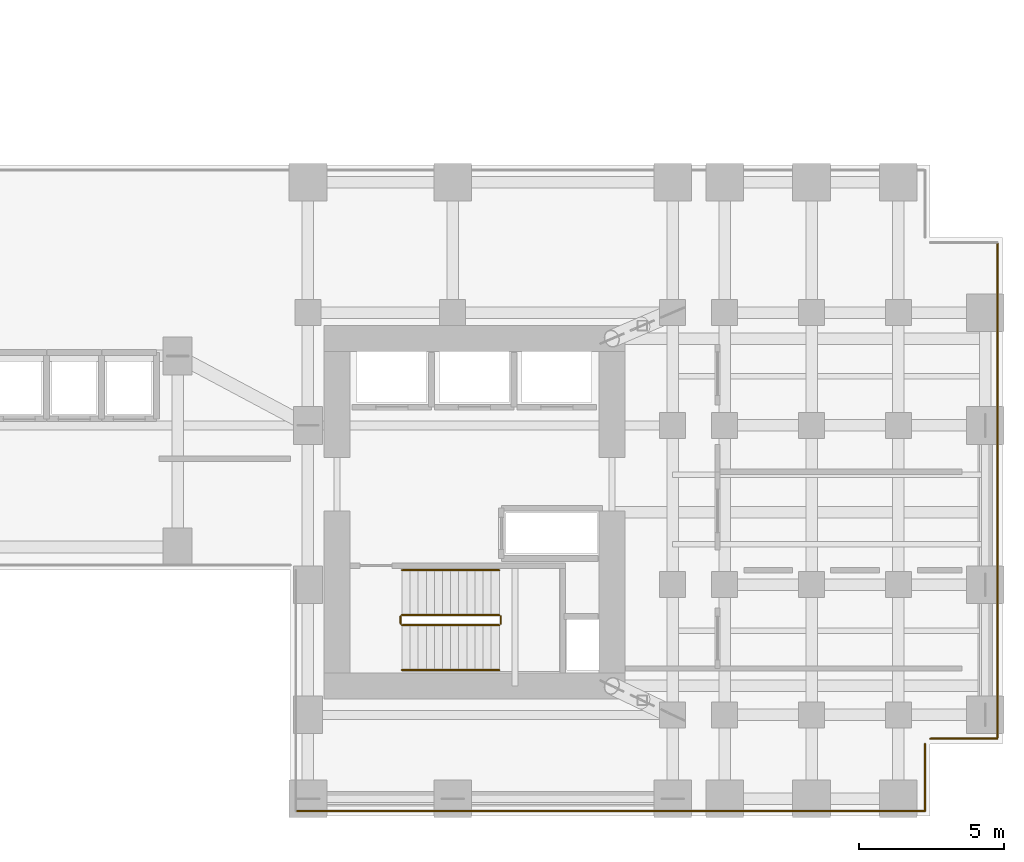
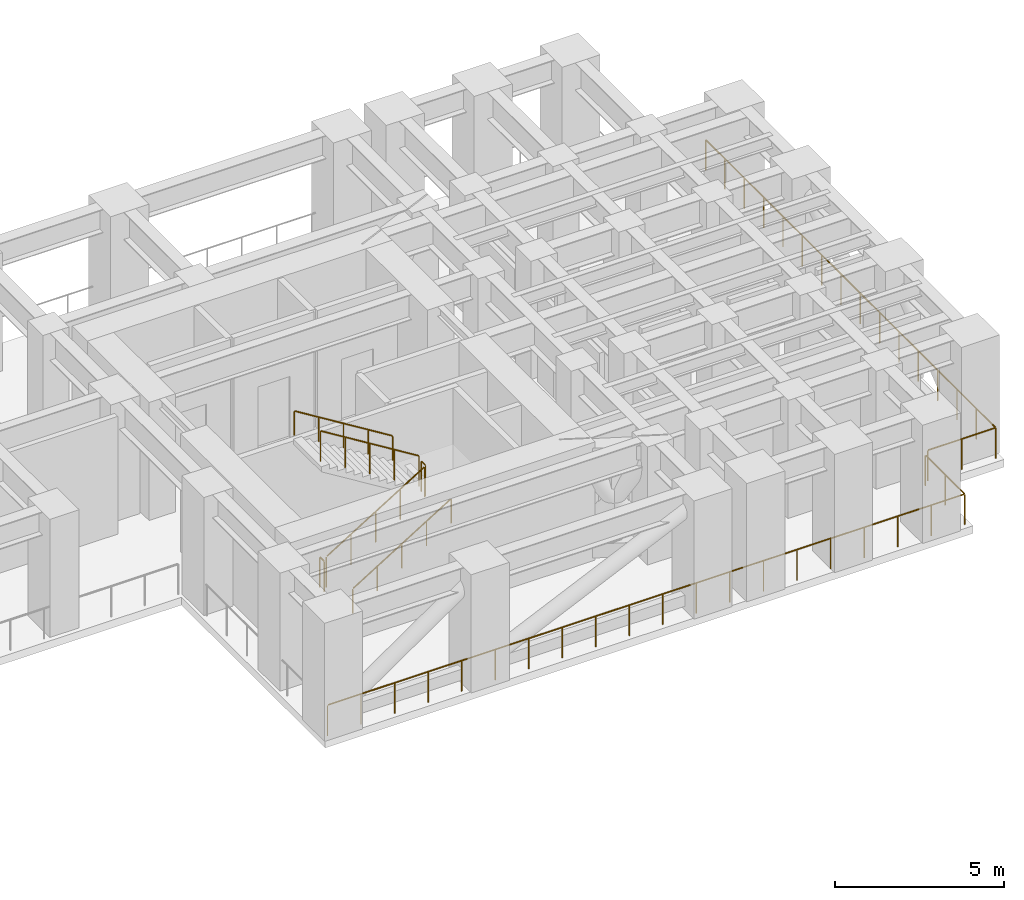
# One storey, part 15 of 16: 10 railings.
"""IFC4 building model written with IfcOpenShell, lengths in metres."""

import ifcopenshell
import ifcopenshell.guid

model = None  # the IFC model being written
_history = None  # IfcOwnerHistory: only IFC2X3 demands one
_inside = {}  # id of a spatial element -> (the spatial element, [elements in it])
_under = {}  # id of a project, library or spatial element -> (it, [spatial elements below it])
_declared = {}  # id of a project -> (the project, [libraries it declares])
_typed = {}  # id of a type object -> (the type object, [elements of that type])
_made_of = {}  # id of a material, layer set ... -> (it, [elements and type objects made of it])


def new_model(schema):
    """Start an empty IFC model of exactly this schema.

    Asked for "IFC4X3", IfcOpenShell would pick the latest addendum, in which some entities
    have other attributes; the version numbers below select the first issue.
    IFC2X3 requires an IfcOwnerHistory on every rooted entity: one is made here for all.
    """
    global model, _history
    if schema == "IFC4X3":
        model = ifcopenshell.file(schema_version=(4, 3, 0, 0))
    else:
        model = ifcopenshell.file(schema=schema)
    _inside.clear()
    _under.clear()
    _declared.clear()
    _typed.clear()
    _made_of.clear()
    _history = None
    if model.schema == "IFC2X3":
        org = make("IfcOrganization", Name="unknown")
        user = make(
            "IfcPersonAndOrganization",
            ThePerson=make("IfcPerson", FamilyName="unknown"),
            TheOrganization=org,
        )
        app = make(
            "IfcApplication",
            ApplicationDeveloper=org,
            Version="unknown",
            ApplicationFullName="unknown",
            ApplicationIdentifier="unknown",
        )
        _history = make(
            "IfcOwnerHistory",
            OwningUser=user,
            OwningApplication=app,
            ChangeAction="ADDED",
            CreationDate=0,
        )
    return model


def make(cls, **values):
    """One entity of the class cls with the attributes given. An attribute that is None is left unset."""
    return model.create_entity(
        cls, **{name: value for name, value in values.items() if value is not None}
    )


def rooted(cls, **values):
    """An entity with a GlobalId (a new one), such as an element, a storey or a relation."""
    return make(cls, GlobalId=ifcopenshell.guid.new(), OwnerHistory=_history, **values)


def si_unit(unit_type, name, prefix=None):
    """IfcSIUnit, for example si_unit("LENGTHUNIT", "METRE", prefix="MILLI")."""
    return make("IfcSIUnit", UnitType=unit_type, Prefix=prefix, Name=name)


def assignment(units):
    """IfcUnitAssignment: the units of a project."""
    return None if units is None else make("IfcUnitAssignment", Units=units)


def point(xyz):
    """IfcCartesianPoint."""
    return None if xyz is None else make("IfcCartesianPoint", Coordinates=xyz)


def direction(xyz):
    """IfcDirection."""
    return None if xyz is None else make("IfcDirection", DirectionRatios=xyz)


def frame(location, z_axis=None, x_axis=None):
    """IfcAxis2Placement3D, a coordinate frame: its origin and axes. An axis left out is left unset."""
    return make(
        "IfcAxis2Placement3D",
        Location=point(location),
        Axis=direction(z_axis),
        RefDirection=direction(x_axis),
    )


def frame_2d(location, x_axis=None):
    """IfcAxis2Placement2D, a coordinate frame in the plane: its origin and x axis."""
    return make(
        "IfcAxis2Placement2D", Location=point(location), RefDirection=direction(x_axis)
    )


def origin():
    """The frame at (0, 0, 0) with its axes left unset."""
    return frame((0.0, 0.0, 0.0))


def origin_2d():
    """The frame at (0, 0) in the plane with its x axis left unset."""
    return frame_2d((0.0, 0.0))


def place(relative_to, where):
    """IfcLocalPlacement: puts the frame where relative to a parent placement (None: the world)."""
    return make(
        "IfcLocalPlacement", PlacementRelTo=relative_to, RelativePlacement=where
    )


def context(
    kind, dimensions, precision=None, world=None, true_north=None, identifier=None
):
    """IfcGeometricRepresentationContext, for example the 3D "Model" context."""
    return make(
        "IfcGeometricRepresentationContext",
        ContextIdentifier=identifier,
        ContextType=kind,
        CoordinateSpaceDimension=dimensions,
        Precision=precision,
        WorldCoordinateSystem=world,
        TrueNorth=true_north,
    )


def subcontext(parent, identifier, kind, view, scale=None):
    """IfcGeometricRepresentationSubContext, for example "Body" below "Model"."""
    return make(
        "IfcGeometricRepresentationSubContext",
        ContextIdentifier=identifier,
        ContextType=kind,
        ParentContext=parent,
        TargetScale=scale,
        TargetView=view,
    )


def project(units=None, contexts=None):
    """IfcProject with its units and contexts."""
    return rooted(
        "IfcProject",
        Name="project",
        RepresentationContexts=contexts,
        UnitsInContext=assignment(units),
    )


def spatial(cls, under=None, at=None, **own):
    """A site, building, storey or space (cls), placed at a placement, below another one or the project."""
    s = rooted(cls, ObjectPlacement=at, **own)
    if under is not None:
        _under.setdefault(under.id(), (under, []))[1].append(s)
    return s


def profile(cls, at=None, kind="AREA", **sizes):
    """A parametric profile (cls). Its sizes go by their IFC names, for example OverallWidth=200.0."""
    return make(cls, ProfileType=kind, Position=at, **sizes)


def circle(**sizes):
    """IfcCircleProfileDef."""
    return profile("IfcCircleProfileDef", **sizes)


def extrude(swept, where, along, depth):
    """IfcExtrudedAreaSolid: the profile swept, set in the frame where, extruded along a direction by depth."""
    return make(
        "IfcExtrudedAreaSolid",
        SweptArea=swept,
        Position=where,
        ExtrudedDirection=direction(along),
        Depth=depth,
    )


def shape(context_of_items, identifier, shape_type, items):
    """IfcShapeRepresentation: the items that make up one representation, for example the "Body"."""
    return make(
        "IfcShapeRepresentation",
        ContextOfItems=context_of_items,
        RepresentationIdentifier=identifier,
        RepresentationType=shape_type,
        Items=items,
    )


def source(mapping_origin, context_of_items, identifier, shape_type, items):
    """IfcRepresentationMap: a shape defined once, which mapped items show again and again."""
    return make(
        "IfcRepresentationMap",
        MappingOrigin=mapping_origin,
        MappedRepresentation=shape(context_of_items, identifier, shape_type, items),
    )


def transform(
    local_origin,
    x_axis=None,
    y_axis=None,
    z_axis=None,
    scale=None,
    scale2=None,
    scale3=None,
    uniform=True,
):
    """IfcCartesianTransformationOperator3D, or its non-uniform kind. x_axis, y_axis, z_axis: its Axis1, 2, 3."""
    if uniform:
        return make(
            "IfcCartesianTransformationOperator3D",
            Axis1=direction(x_axis),
            Axis2=direction(y_axis),
            LocalOrigin=point(local_origin),
            Scale=scale,
            Axis3=direction(z_axis),
        )
    return make(
        "IfcCartesianTransformationOperator3DnonUniform",
        Axis1=direction(x_axis),
        Axis2=direction(y_axis),
        LocalOrigin=point(local_origin),
        Scale=scale,
        Axis3=direction(z_axis),
        Scale2=scale2,
        Scale3=scale3,
    )


def mapped(mapping_source, mapping_target):
    """IfcMappedItem: shows the shape of a source again, moved by a transform."""
    return make(
        "IfcMappedItem", MappingSource=mapping_source, MappingTarget=mapping_target
    )


def material(Name=None, Category=None):
    """IfcMaterial."""
    return make("IfcMaterial", Name=Name, Category=Category)


def layer(
    of_material, thickness, ventilated=None, Name=None, Category=None, Priority=None
):
    """IfcMaterialLayer: one layer of a wall or slab, of a material (None: an air gap)."""
    return make(
        "IfcMaterialLayer",
        Material=of_material,
        LayerThickness=thickness,
        IsVentilated=ventilated,
        Name=Name,
        Category=Category,
        Priority=Priority,
    )


def layer_set(layers, Name=None):
    """IfcMaterialLayerSet."""
    return make("IfcMaterialLayerSet", MaterialLayers=layers, LayerSetName=Name)


def made_of(thing, what):
    """Note that an element or type object is made of a material, layer set ...; save() writes the relation."""
    if what is not None:
        _made_of.setdefault(what.id(), (what, []))[1].append(thing)
    return thing


def type_object(cls, material=None, **own):
    """A type object (cls), such as IfcWallType, which elements share."""
    return made_of(rooted(cls, **own), material)


def element(
    cls,
    number,
    at=None,
    inside=None,
    cuts=None,
    type_object=None,
    material=None,
    context=None,
    identifier="Body",
    shape_type=None,
    held_by="IfcProductDefinitionShape",
    body=None,
    shapes=None,
    **own,
):
    """One element of the class cls, such as IfcWall. Its Tag is "e" and its number.

    at: its placement. inside: the storey or other place that contains it. cuts: it is an
    opening in that element (IfcRelVoidsElement). A single representation is given by context,
    identifier, shape_type and body (its items); several are given by shapes. held_by: the class
    of the entity that holds the representations. save() writes the other relations.
    """
    e = rooted(cls, Tag="e%d" % number, ObjectPlacement=at, **own)
    if body is not None:
        shapes = [shape(context, identifier, shape_type, body)]
    if shapes is not None:
        e.Representation = make(held_by, Representations=shapes)
    if inside is not None:
        _inside.setdefault(inside.id(), (inside, []))[1].append(e)
    if cuts is not None:
        rooted(
            "IfcRelVoidsElement", RelatingBuildingElement=cuts, RelatedOpeningElement=e
        )
    if type_object is not None:
        _typed.setdefault(type_object.id(), (type_object, []))[1].append(e)
    return made_of(e, material)


def aggregate(whole, parts):
    """IfcRelAggregates: a whole, such as a stair, and the parts it consists of."""
    return rooted("IfcRelAggregates", RelatingObject=whole, RelatedObjects=parts)


def save(model, path):
    """Write the relations noted so far, then the file.

    IfcRelAggregates (storeys below a building ...), IfcRelContainedInSpatialStructure (elements
    in a storey), IfcRelDefinesByType, IfcRelAssociatesMaterial and IfcRelDeclares: one each for
    every whole, place, type object, material and project.
    """
    for whole, parts in _under.values():
        aggregate(whole, parts)
    for where, things in _inside.values():
        rooted(
            "IfcRelContainedInSpatialStructure",
            RelatedElements=things,
            RelatingStructure=where,
        )
    for kind, things in _typed.values():
        rooted("IfcRelDefinesByType", RelatedObjects=things, RelatingType=kind)
    for what, things in _made_of.values():
        rooted("IfcRelAssociatesMaterial", RelatedObjects=things, RelatingMaterial=what)
    for by, libraries in _declared.values():
        rooted("IfcRelDeclares", RelatingContext=by, RelatedDefinitions=libraries)
    model.write(path)


model = new_model("IFC4")

# Units and contexts
model_context = context("Model", 3, precision=1e-05, world=origin(), true_north=direction((0.0, 1.0)))
body_context = subcontext(model_context, "Body", "Model", "MODEL_VIEW")
ifc_project = project(units=[si_unit("LENGTHUNIT", "METRE"), si_unit("AREAUNIT", "SQUARE_METRE"), si_unit("VOLUMEUNIT", "CUBIC_METRE"), si_unit("PLANEANGLEUNIT", "RADIAN"), si_unit("MASSUNIT", "GRAM", prefix="KILO")], contexts=[model_context])

# Site, building, storey
site_placement = place(None, origin())
site = spatial("IfcSite", under=ifc_project, at=site_placement, CompositionType="ELEMENT")
building_placement = place(site_placement, origin())
building = spatial("IfcBuilding", under=site, at=building_placement, Name="Kharzan Plaza Tower", CompositionType="ELEMENT")
storey_placement = place(building_placement, frame((0.0, 0.0, 72.89990234375)))
storey = spatial("IfcBuildingStorey", under=building, at=storey_placement, Name="L19", CompositionType="ELEMENT", Elevation=72.89990234375)

# Railings
ifc_material_1 = material(Name="Painted Galvanized Architectural Steel", Category="steel")
ifc_layer_1 = layer(ifc_material_1, 0.074951171875)
ifc_layer_set_1 = layer_set([ifc_layer_1], Name="Painted Galvanized Architectural Steel")
railing_type_1 = type_object("IfcRailingType", Name="RL-GUARD-1120", PredefinedType="BALUSTRADE", material=ifc_layer_set_1)
shared_shape_1 = source(origin(), body_context, "Body", "SweptSolid", [
    extrude(circle(Radius=0.02392578125, at=origin_2d()), frame((0.0224609375, 0.0, 1.10986328125), z_axis=(0.850623216509, 0.0, 0.525775754039), x_axis=(0.0, 1.0, 0.0)), (0.0, 0.0, 1.0), 3.897216796875),
    extrude(circle(Radius=0.02099609375, at=origin_2d()), origin(), (0.0, 0.0, 1.0), 1.072021484375),
    extrude(circle(Radius=0.02099609375, at=origin_2d()), frame((0.840087890625, 0.0, 0.519287109375)), (0.0, 0.0, 1.0), 1.072021484375),
    extrude(circle(Radius=0.02099609375, at=origin_2d()), frame((1.68017578125, 0.0, 1.03857421875)), (0.0, 0.0, 1.0), 1.072021484375),
    extrude(circle(Radius=0.02099609375, at=origin_2d()), frame((2.52001953125, 0.0, 1.5576171875)), (0.0, 0.0, 1.0), 1.072021484375),
    extrude(circle(Radius=0.02099609375, at=origin_2d()), frame((3.360107421875, 0.0, 2.076904296875)), (0.0, 0.0, 1.0), 1.072021484375),
])
railing_1_placement = place(storey_placement, frame((38.25, 6.60009765625, 0.173095703125)))
element("IfcRailing", 1, at=railing_1_placement, inside=storey, type_object=railing_type_1, Name="L19 ST-3 stair guard 1", PredefinedType="BALUSTRADE", context=body_context, shape_type="MappedRepresentation", body=[
    mapped(shared_shape_1, transform((0.0, 0.0, 0.0), x_axis=(1.0, 0.0, 0.0), y_axis=(0.0, 1.0, 0.0), z_axis=(0.0, 0.0, 1.0))),
])
shared_shape_2 = source(origin(), body_context, "Body", "SweptSolid", [
    extrude(circle(Radius=0.02392578125, at=origin_2d()), frame((0.0, 0.0263671875, 1.09619140625), z_axis=(0.0, 1.0, 0.0), x_axis=(-1.0, 0.0, 0.0)), (0.0, 0.0, 1.0), 0.197021484375),
    extrude(circle(Radius=0.02099609375, at=origin_2d()), origin(), (0.0, 0.0, 1.0), 1.072021484375),
    extrude(circle(Radius=0.02099609375, at=origin_2d()), frame((0.0, 0.25, 0.0)), (0.0, 0.0, 1.0), 1.072021484375),
])
for number, where, name in (
    (2, (41.659912109375, 6.64990234375, 2.25), "L19 ST-3 stair guard 2"),
    (3, (38.199951171875, 6.64990234375, 0.0), "L19 ST-3 stair guard 4"),
):
    element("IfcRailing", number, at=place(storey_placement, frame(where)), inside=storey, type_object=railing_type_1, Name=name, PredefinedType="BALUSTRADE", context=body_context, shape_type="MappedRepresentation", body=[
        mapped(shared_shape_2, transform((0.0, 0.0, 0.0), x_axis=(1.0, 0.0, 0.0), y_axis=(0.0, 1.0, 0.0), z_axis=(0.0, 0.0, 1.0))),
    ])
shared_shape_3 = source(origin(), body_context, "Body", "SweptSolid", [
    extrude(circle(Radius=0.02392578125, at=origin_2d()), frame((-0.0224609375, 0.0, 1.10986328125), z_axis=(-0.850623216509, 0.0, 0.525775754039), x_axis=(0.0, -1.0, 0.0)), (0.0, 0.0, 1.0), 3.897216796875),
    extrude(circle(Radius=0.02099609375, at=origin_2d()), origin(), (0.0, 0.0, 1.0), 1.072021484375),
    extrude(circle(Radius=0.02099609375, at=origin_2d()), frame((-0.840087890625, 0.0, 0.519287109375)), (0.0, 0.0, 1.0), 1.072021484375),
    extrude(circle(Radius=0.02099609375, at=origin_2d()), frame((-1.68017578125, 0.0, 1.03857421875)), (0.0, 0.0, 1.0), 1.072021484375),
    extrude(circle(Radius=0.02099609375, at=origin_2d()), frame((-2.52001953125, 0.0, 1.5576171875)), (0.0, 0.0, 1.0), 1.072021484375),
    extrude(circle(Radius=0.02099609375, at=origin_2d()), frame((-3.360107421875, 0.0, 2.076904296875)), (0.0, 0.0, 1.0), 1.072021484375),
])
railing_2_placement = place(storey_placement, frame((41.610107421875, 6.949951171875, 2.423095703125)))
element("IfcRailing", 4, at=railing_2_placement, inside=storey, type_object=railing_type_1, Name="L19 ST-3 stair guard 3", PredefinedType="BALUSTRADE", context=body_context, shape_type="MappedRepresentation", body=[
    mapped(shared_shape_3, transform((0.0, 0.0, 0.0), x_axis=(1.0, 0.0, 0.0), y_axis=(0.0, 1.0, 0.0), z_axis=(0.0, 0.0, 1.0))),
])
ifc_material_2 = material(Name="Brushed Stainless Steel", Category="steel")
ifc_layer_2 = layer(ifc_material_2, 0.050048828125)
ifc_layer_set_2 = layer_set([ifc_layer_2], Name="Brushed Stainless Steel")
railing_type_2 = type_object("IfcRailingType", Name="RL-STAIR-HR920", PredefinedType="HANDRAIL", material=ifc_layer_set_2)
shared_shape_4 = source(origin(), body_context, "Body", "SweptSolid", [
    extrude(circle(Radius=0.02392578125, at=origin_2d()), frame((0.0224609375, 0.0, 0.8896484375), z_axis=(0.850623216509, 0.0, 0.525775754039), x_axis=(0.0, 1.0, 0.0)), (0.0, 0.0, 1.0), 3.897216796875),
    extrude(circle(Radius=0.02099609375, at=origin_2d()), origin(), (0.0, 0.0, 1.0), 0.851806640625),
    extrude(circle(Radius=0.02099609375, at=origin_2d()), frame((0.840087890625, 0.0, 0.519287109375)), (0.0, 0.0, 1.0), 0.851806640625),
    extrude(circle(Radius=0.02099609375, at=origin_2d()), frame((1.68017578125, 0.0, 1.03857421875)), (0.0, 0.0, 1.0), 0.851806640625),
    extrude(circle(Radius=0.02099609375, at=origin_2d()), frame((2.52001953125, 0.0, 1.5576171875)), (0.0, 0.0, 1.0), 0.851806640625),
    extrude(circle(Radius=0.02099609375, at=origin_2d()), frame((3.360107421875, 0.0, 2.076904296875)), (0.0, 0.0, 1.0), 0.851806640625),
])
railing_3_placement = place(storey_placement, frame((38.25, 5.050048828125, 0.173095703125)))
element("IfcRailing", 5, at=railing_3_placement, inside=storey, type_object=railing_type_2, Name="L19 ST-3 stair handrail 1", PredefinedType="HANDRAIL", context=body_context, shape_type="MappedRepresentation", body=[
    mapped(shared_shape_4, transform((0.0, 0.0, 0.0), x_axis=(1.0, 0.0, 0.0), y_axis=(0.0, 1.0, 0.0), z_axis=(0.0, 0.0, 1.0))),
])
shared_shape_5 = source(origin(), body_context, "Body", "SweptSolid", [
    extrude(circle(Radius=0.02392578125, at=origin_2d()), frame((-0.0224609375, 0.0, 0.8896484375), z_axis=(-0.850623216509, 0.0, 0.525775754039), x_axis=(0.0, -1.0, 0.0)), (0.0, 0.0, 1.0), 3.897216796875),
    extrude(circle(Radius=0.02099609375, at=origin_2d()), origin(), (0.0, 0.0, 1.0), 0.851806640625),
    extrude(circle(Radius=0.02099609375, at=origin_2d()), frame((-0.840087890625, 0.0, 0.519287109375)), (0.0, 0.0, 1.0), 0.851806640625),
    extrude(circle(Radius=0.02099609375, at=origin_2d()), frame((-1.68017578125, 0.0, 1.03857421875)), (0.0, 0.0, 1.0), 0.851806640625),
    extrude(circle(Radius=0.02099609375, at=origin_2d()), frame((-2.52001953125, 0.0, 1.5576171875)), (0.0, 0.0, 1.0), 0.851806640625),
    extrude(circle(Radius=0.02099609375, at=origin_2d()), frame((-3.360107421875, 0.0, 2.076904296875)), (0.0, 0.0, 1.0), 0.851806640625),
])
railing_4_placement = place(storey_placement, frame((41.610107421875, 8.5, 2.423095703125)))
element("IfcRailing", 6, at=railing_4_placement, inside=storey, type_object=railing_type_2, Name="L19 ST-3 stair handrail 2", PredefinedType="HANDRAIL", context=body_context, shape_type="MappedRepresentation", body=[
    mapped(shared_shape_5, transform((0.0, 0.0, 0.0), x_axis=(1.0, 0.0, 0.0), y_axis=(0.0, 1.0, 0.0), z_axis=(0.0, 0.0, 1.0))),
])
shared_shape_6 = source(origin(), body_context, "Body", "SweptSolid", [
    extrude(circle(Radius=0.02392578125, at=origin_2d()), frame((0.0, -0.0263671875, 1.09619140625), z_axis=(0.0, -1.0, 0.0), x_axis=(1.0, 0.0, 0.0)), (0.0, 0.0, 1.0), 2.26708984375),
    extrude(circle(Radius=0.02099609375, at=origin_2d()), origin(), (0.0, 0.0, 1.0), 1.072021484375),
    extrude(circle(Radius=0.02099609375, at=origin_2d()), frame((0.0, -1.16015625, 0.0)), (0.0, 0.0, 1.0), 1.072021484375),
    extrude(circle(Radius=0.02099609375, at=origin_2d()), frame((0.0, -2.320068359375, 0.0)), (0.0, 0.0, 1.0), 1.072021484375),
])
railing_5_placement = place(storey_placement, frame((56.320068359375, 2.5, 0.0)))
element("IfcRailing", 7, at=railing_5_placement, inside=storey, type_object=railing_type_1, Name="L19 Open Refuge Floor Perimeter Guard 38", PredefinedType="BALUSTRADE", context=body_context, shape_type="MappedRepresentation", body=[
    mapped(shared_shape_6, transform((0.0, 0.0, 0.0), x_axis=(1.0, 0.0, 0.0), y_axis=(0.0, 1.0, 0.0), z_axis=(0.0, 0.0, 1.0))),
])
shared_shape_7 = source(origin(), body_context, "Body", "SweptSolid", [
    extrude(circle(Radius=0.02392578125, at=origin_2d()), frame((0.0, -0.0263671875, 1.09619140625), z_axis=(0.0, -1.0, 0.0), x_axis=(1.0, 0.0, 0.0)), (0.0, 0.0, 1.0), 17.087158203125),
    extrude(circle(Radius=0.02099609375, at=origin_2d()), origin(), (0.0, 0.0, 1.0), 1.072021484375),
    extrude(circle(Radius=0.02099609375, at=origin_2d()), frame((0.0, -1.142578125, 0.0)), (0.0, 0.0, 1.0), 1.072021484375),
    extrude(circle(Radius=0.02099609375, at=origin_2d()), frame((0.0, -2.285400390625, 0.0)), (0.0, 0.0, 1.0), 1.072021484375),
    extrude(circle(Radius=0.02099609375, at=origin_2d()), frame((0.0, -3.427978515625, 0.0)), (0.0, 0.0, 1.0), 1.072021484375),
    extrude(circle(Radius=0.02099609375, at=origin_2d()), frame((0.0, -4.57080078125, 0.0)), (0.0, 0.0, 1.0), 1.072021484375),
    extrude(circle(Radius=0.02099609375, at=origin_2d()), frame((0.0, -5.71337890625, 0.0)), (0.0, 0.0, 1.0), 1.072021484375),
    extrude(circle(Radius=0.02099609375, at=origin_2d()), frame((0.0, -6.85595703125, 0.0)), (0.0, 0.0, 1.0), 1.072021484375),
    extrude(circle(Radius=0.02099609375, at=origin_2d()), frame((0.0, -7.998779296875, 0.0)), (0.0, 0.0, 1.0), 1.072021484375),
    extrude(circle(Radius=0.02099609375, at=origin_2d()), frame((0.0, -9.141357421875, 0.0)), (0.0, 0.0, 1.0), 1.072021484375),
    extrude(circle(Radius=0.02099609375, at=origin_2d()), frame((0.0, -10.2841796875, 0.0)), (0.0, 0.0, 1.0), 1.072021484375),
    extrude(circle(Radius=0.02099609375, at=origin_2d()), frame((0.0, -11.4267578125, 0.0)), (0.0, 0.0, 1.0), 1.072021484375),
    extrude(circle(Radius=0.02099609375, at=origin_2d()), frame((0.0, -12.5693359375, 0.0)), (0.0, 0.0, 1.0), 1.072021484375),
    extrude(circle(Radius=0.02099609375, at=origin_2d()), frame((0.0, -13.712158203125, 0.0)), (0.0, 0.0, 1.0), 1.072021484375),
    extrude(circle(Radius=0.02099609375, at=origin_2d()), frame((0.0, -14.854736328125, 0.0)), (0.0, 0.0, 1.0), 1.072021484375),
    extrude(circle(Radius=0.02099609375, at=origin_2d()), frame((0.0, -15.99755859375, 0.0)), (0.0, 0.0, 1.0), 1.072021484375),
    extrude(circle(Radius=0.02099609375, at=origin_2d()), frame((0.0, -17.14013671875, 0.0)), (0.0, 0.0, 1.0), 1.072021484375),
])
railing_6_placement = place(storey_placement, frame((58.820068359375, 19.820068359375, 0.0)))
element("IfcRailing", 8, at=railing_6_placement, inside=storey, type_object=railing_type_1, Name="L19 Open Refuge Floor Perimeter Guard 20", PredefinedType="BALUSTRADE", context=body_context, shape_type="MappedRepresentation", body=[
    mapped(shared_shape_7, transform((0.0, 0.0, 0.0), x_axis=(1.0, 0.0, 0.0), y_axis=(0.0, 1.0, 0.0), z_axis=(0.0, 0.0, 1.0))),
])
shared_shape_8 = source(origin(), body_context, "Body", "SweptSolid", [
    extrude(circle(Radius=0.02392578125, at=origin_2d()), frame((-0.0263671875, 0.0, 1.09619140625), z_axis=(-1.0, 0.0, 0.0), x_axis=(0.0, -1.0, 0.0)), (0.0, 0.0, 1.0), 2.26708984375),
    extrude(circle(Radius=0.02099609375, at=origin_2d()), origin(), (0.0, 0.0, 1.0), 1.072021484375),
    extrude(circle(Radius=0.02099609375, at=origin_2d()), frame((-1.16015625, 0.0, 0.0)), (0.0, 0.0, 1.0), 1.072021484375),
    extrude(circle(Radius=0.02099609375, at=origin_2d()), frame((-2.320068359375, 0.0, 0.0)), (0.0, 0.0, 1.0), 1.072021484375),
])
railing_7_placement = place(storey_placement, frame((58.820068359375, 2.679931640625, 0.0)))
element("IfcRailing", 9, at=railing_7_placement, inside=storey, type_object=railing_type_1, Name="L19 Open Refuge Floor Perimeter Guard 21", PredefinedType="BALUSTRADE", context=body_context, shape_type="MappedRepresentation", body=[
    mapped(shared_shape_8, transform((0.0, 0.0, 0.0), x_axis=(1.0, 0.0, 0.0), y_axis=(0.0, 1.0, 0.0), z_axis=(0.0, 0.0, 1.0))),
])
shared_shape_9 = source(origin(), body_context, "Body", "SweptSolid", [
    extrude(circle(Radius=0.02392578125, at=origin_2d()), frame((-0.0263671875, 0.0, 1.09619140625), z_axis=(-1.0, 0.0, 0.0), x_axis=(0.0, -1.0, 0.0)), (0.0, 0.0, 1.0), 21.68701171875),
    extrude(circle(Radius=0.02099609375, at=origin_2d()), origin(), (0.0, 0.0, 1.0), 1.072021484375),
    extrude(circle(Radius=0.02099609375, at=origin_2d()), frame((-1.144287109375, 0.0, 0.0)), (0.0, 0.0, 1.0), 1.072021484375),
    extrude(circle(Radius=0.02099609375, at=origin_2d()), frame((-2.288330078125, 0.0, 0.0)), (0.0, 0.0, 1.0), 1.072021484375),
    extrude(circle(Radius=0.02099609375, at=origin_2d()), frame((-3.4326171875, 0.0, 0.0)), (0.0, 0.0, 1.0), 1.072021484375),
    extrude(circle(Radius=0.02099609375, at=origin_2d()), frame((-4.576904296875, 0.0, 0.0)), (0.0, 0.0, 1.0), 1.072021484375),
    extrude(circle(Radius=0.02099609375, at=origin_2d()), frame((-5.720947265625, 0.0, 0.0)), (0.0, 0.0, 1.0), 1.072021484375),
    extrude(circle(Radius=0.02099609375, at=origin_2d()), frame((-6.865234375, 0.0, 0.0)), (0.0, 0.0, 1.0), 1.072021484375),
    extrude(circle(Radius=0.02099609375, at=origin_2d()), frame((-8.009521484375, 0.0, 0.0)), (0.0, 0.0, 1.0), 1.072021484375),
    extrude(circle(Radius=0.02099609375, at=origin_2d()), frame((-9.153564453125, 0.0, 0.0)), (0.0, 0.0, 1.0), 1.072021484375),
    extrude(circle(Radius=0.02099609375, at=origin_2d()), frame((-10.2978515625, 0.0, 0.0)), (0.0, 0.0, 1.0), 1.072021484375),
    extrude(circle(Radius=0.02099609375, at=origin_2d()), frame((-11.442138671875, 0.0, 0.0)), (0.0, 0.0, 1.0), 1.072021484375),
    extrude(circle(Radius=0.02099609375, at=origin_2d()), frame((-12.58642578125, 0.0, 0.0)), (0.0, 0.0, 1.0), 1.072021484375),
    extrude(circle(Radius=0.02099609375, at=origin_2d()), frame((-13.73046875, 0.0, 0.0)), (0.0, 0.0, 1.0), 1.072021484375),
    extrude(circle(Radius=0.02099609375, at=origin_2d()), frame((-14.874755859375, 0.0, 0.0)), (0.0, 0.0, 1.0), 1.072021484375),
    extrude(circle(Radius=0.02099609375, at=origin_2d()), frame((-16.01904296875, 0.0, 0.0)), (0.0, 0.0, 1.0), 1.072021484375),
    extrude(circle(Radius=0.02099609375, at=origin_2d()), frame((-17.1630859375, 0.0, 0.0)), (0.0, 0.0, 1.0), 1.072021484375),
    extrude(circle(Radius=0.02099609375, at=origin_2d()), frame((-18.307373046875, 0.0, 0.0)), (0.0, 0.0, 1.0), 1.072021484375),
    extrude(circle(Radius=0.02099609375, at=origin_2d()), frame((-19.45166015625, 0.0, 0.0)), (0.0, 0.0, 1.0), 1.072021484375),
    extrude(circle(Radius=0.02099609375, at=origin_2d()), frame((-20.595703125, 0.0, 0.0)), (0.0, 0.0, 1.0), 1.072021484375),
    extrude(circle(Radius=0.02099609375, at=origin_2d()), frame((-21.739990234375, 0.0, 0.0)), (0.0, 0.0, 1.0), 1.072021484375),
])
railing_8_placement = place(storey_placement, frame((56.320068359375, 0.179931640625, 0.0)))
element("IfcRailing", 10, at=railing_8_placement, inside=storey, type_object=railing_type_1, Name="L19 Open Refuge Floor Perimeter Guard 39", PredefinedType="BALUSTRADE", context=body_context, shape_type="MappedRepresentation", body=[
    mapped(shared_shape_9, transform((0.0, 0.0, 0.0), x_axis=(1.0, 0.0, 0.0), y_axis=(0.0, 1.0, 0.0), z_axis=(0.0, 0.0, 1.0))),
])

save(model, "model.ifc")
